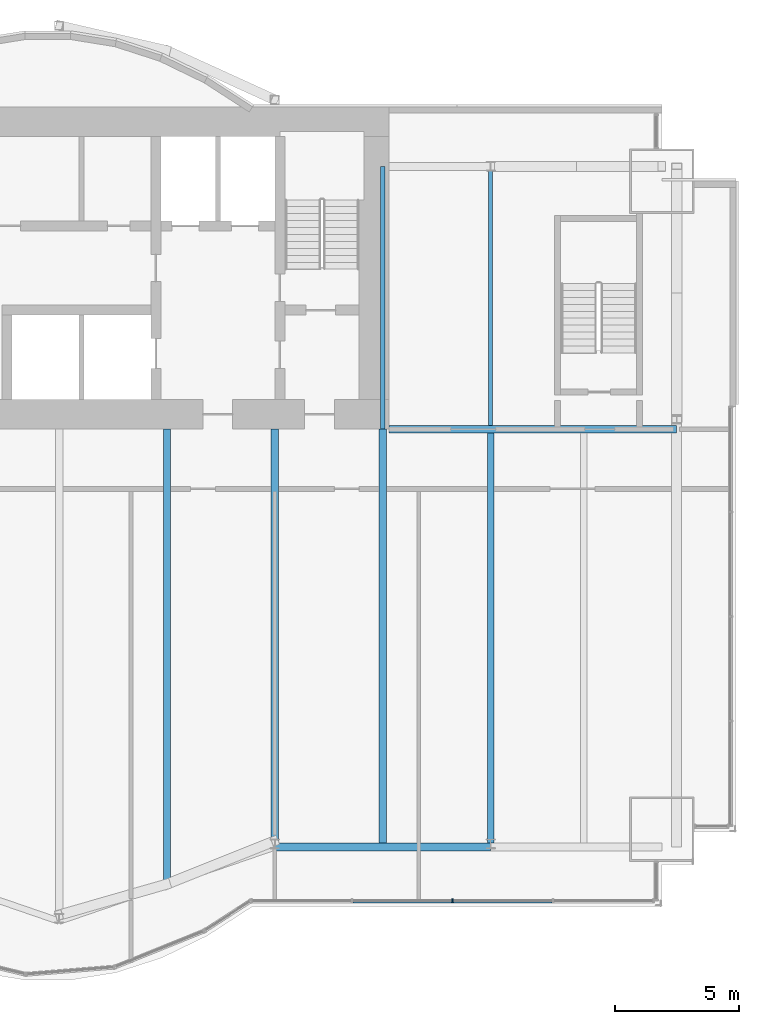
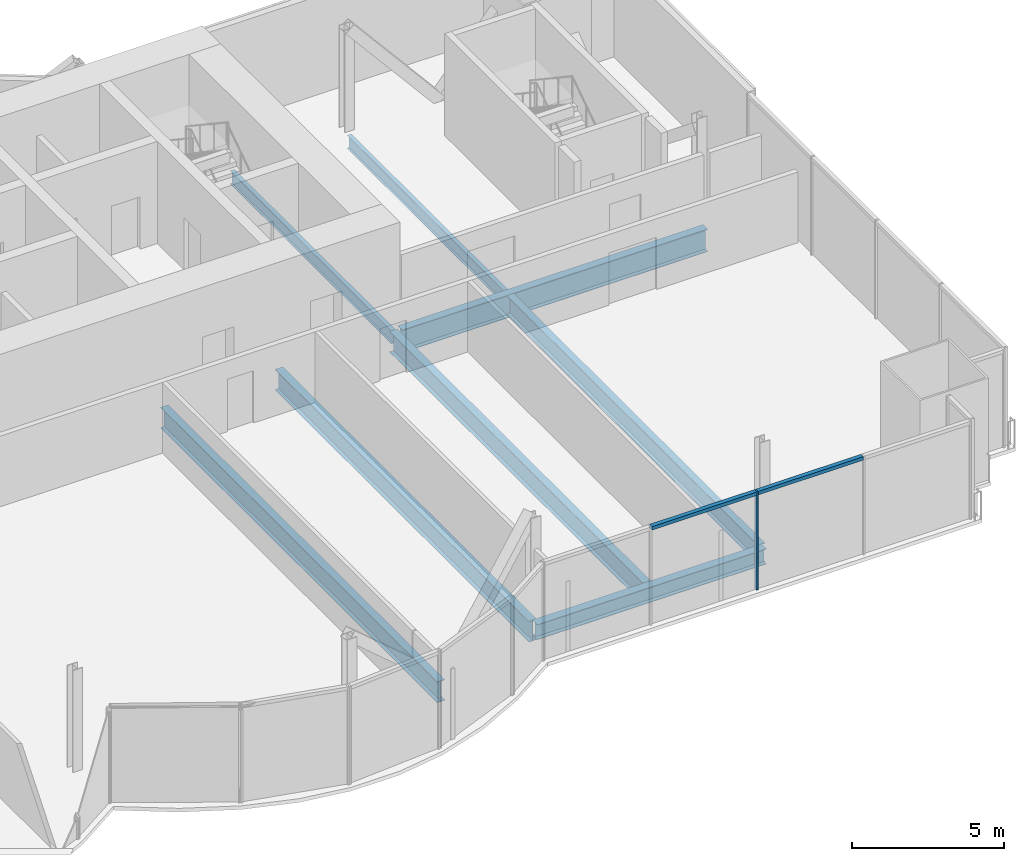
# One storey, part 9 of 20: 8 beams, 3 members, 1 element without a shape of its own.
"""IFC4 building model written with IfcOpenShell, lengths in metres."""

from ifc_helpers import new_model, si_unit, direction, frame, origin, origin_2d, place, context, subcontext, project, spatial, rectangle, i_section, extrude, material, material_profile, profile_set, type_object, element, aggregate, save


model = new_model("IFC4")

# Units and contexts
model_context = context("Model", 3, precision=1e-05, world=origin(), true_north=direction((0.0, 1.0)))
body_context = subcontext(model_context, "Body", "Model", "MODEL_VIEW")
ifc_project = project(units=[si_unit("LENGTHUNIT", "METRE"), si_unit("AREAUNIT", "SQUARE_METRE"), si_unit("VOLUMEUNIT", "CUBIC_METRE"), si_unit("PLANEANGLEUNIT", "RADIAN"), si_unit("MASSUNIT", "GRAM", prefix="KILO")], contexts=[model_context])

# Site, building, storey
site_placement = place(None, origin())
site = spatial("IfcSite", under=ifc_project, at=site_placement, CompositionType="ELEMENT")
building_placement = place(site_placement, origin())
building = spatial("IfcBuilding", under=site, at=building_placement, Name="Bicima Exchange Tower", CompositionType="ELEMENT")
storey_placement = place(building_placement, frame((0.0, 0.0, 207.300048828125)))
storey = spatial("IfcBuildingStorey", under=building, at=storey_placement, Name="L46", CompositionType="ELEMENT", Elevation=207.300048828125)

# Beams
ifc_material_1 = material(Name="Steel ASTM A992 Gr 50", Category="steel")
ifc_material_profile_1 = material_profile(ifc_material_1, i_section(OverallWidth=0.3046875, OverallDepth=0.911865234375, WebThickness=0.015869140625, FlangeThickness=0.02392578125, at=origin_2d()))
ifc_profile_set_1 = profile_set([ifc_material_profile_1], Name="Steel ASTM A992 Gr 50")
beam_type_1 = type_object("IfcBeamType", Name="Core-line girder W36x150", PredefinedType="BEAM", material=ifc_profile_set_1)
beam_1_placement = place(storey_placement, frame((22.0, -13.0, -0.60595703125), z_axis=(1.0, 0.0, 0.0), x_axis=(0.0, 1.0, 0.0)))
element("IfcBeam", 1, at=beam_1_placement, inside=storey, type_object=beam_type_1, Name="Core-line girder", PredefinedType="BEAM", context=body_context, shape_type="SweptSolid", body=[
    extrude(i_section(OverallWidth=0.3046875, OverallDepth=0.911865234375, WebThickness=0.015869140625, FlangeThickness=0.02392578125, at=origin_2d()), origin(), (0.0, 0.0, 1.0), 11.60009765625),
])
ifc_material_profile_2 = material_profile(ifc_material_1, i_section(OverallWidth=0.165771484375, OverallDepth=0.5283203125, WebThickness=0.009765625, FlangeThickness=0.013671875, at=origin_2d()))
ifc_profile_set_2 = profile_set([ifc_material_profile_2], Name="Steel ASTM A992 Gr 50")
beam_type_2 = type_object("IfcBeamType", Name="Floor beam W21x50", PredefinedType="JOIST", material=ifc_profile_set_2)
beam_2_placement = place(storey_placement, frame((21.75, -2.39990234375, -0.414306640625), z_axis=(0.0, -1.0, 0.0), x_axis=(1.0, 0.0, 0.0)))
element("IfcBeam", 2, at=beam_2_placement, inside=storey, type_object=beam_type_2, Name="Floor beam", PredefinedType="JOIST", context=body_context, shape_type="SweptSolid", body=[
    extrude(i_section(OverallWidth=0.165771484375, OverallDepth=0.5283203125, WebThickness=0.009765625, FlangeThickness=0.013671875, at=origin_2d()), origin(), (0.0, 0.0, 1.0), 10.60009765625),
])
beam_3_placement = place(storey_placement, frame((26.10009765625, -2.5625, -0.414306640625), z_axis=(0.0, -1.0, 0.0), x_axis=(1.0, 0.0, 0.0)))
element("IfcBeam", 3, at=beam_3_placement, inside=storey, type_object=beam_type_2, Name="Floor beam", PredefinedType="JOIST", context=body_context, shape_type="SweptSolid", body=[
    extrude(i_section(OverallWidth=0.165771484375, OverallDepth=0.5283203125, WebThickness=0.009765625, FlangeThickness=0.013671875, at=origin_2d()), origin(), (0.0, 0.0, 1.0), 10.28515625),
])
ifc_material_profile_3 = material_profile(ifc_material_1, i_section(OverallWidth=0.2666015625, OverallDepth=0.75439453125, WebThickness=0.01318359375, FlangeThickness=0.01708984375, at=origin_2d()))
ifc_profile_set_3 = profile_set([ifc_material_profile_3], Name="Steel ASTM A992 Gr 50")
beam_type_3 = type_object("IfcBeamType", Name="Floor beam W30x99", PredefinedType="JOIST", material=ifc_profile_set_3)
beam_4_placement = place(storey_placement, frame((26.10009765625, -13.15234375, -0.52734375), z_axis=(0.0, -1.0, 0.0), x_axis=(1.0, 0.0, 0.0)))
element("IfcBeam", 4, at=beam_4_placement, inside=storey, type_object=beam_type_3, Name="Floor beam", PredefinedType="JOIST", context=body_context, shape_type="SweptSolid", body=[
    extrude(i_section(OverallWidth=0.2666015625, OverallDepth=0.75439453125, WebThickness=0.01318359375, FlangeThickness=0.01708984375, at=origin_2d()), origin(), (0.0, 0.0, 1.0), 16.525146484375),
])
ifc_material_profile_4 = material_profile(ifc_material_1, i_section(OverallWidth=0.2919921875, OverallDepth=0.835693359375, WebThickness=0.013916015625, FlangeThickness=0.018798828125, at=origin_2d()))
ifc_profile_set_4 = profile_set([ifc_material_profile_4], Name="Steel ASTM A992 Gr 50")
beam_type_4 = type_object("IfcBeamType", Name="Floor beam W33x118", PredefinedType="JOIST", material=ifc_profile_set_4)
beam_5_placement = place(storey_placement, frame((13.050048828125, -13.0, -0.56787109375), z_axis=(0.0, -1.0, 0.0), x_axis=(1.0, 0.0, 0.0)))
element("IfcBeam", 5, at=beam_5_placement, inside=storey, type_object=beam_type_4, Name="Floor beam", PredefinedType="JOIST", context=body_context, shape_type="SweptSolid", body=[
    extrude(i_section(OverallWidth=0.2919921875, OverallDepth=0.835693359375, WebThickness=0.013916015625, FlangeThickness=0.018798828125, at=origin_2d()), origin(), (0.0, 0.0, 1.0), 18.199951171875),
])
beam_6_placement = place(storey_placement, frame((17.39990234375, -13.0, -0.56787109375), z_axis=(0.0, -1.0, 0.0), x_axis=(1.0, 0.0, 0.0)))
element("IfcBeam", 6, at=beam_6_placement, inside=storey, type_object=beam_type_4, Name="Floor beam", PredefinedType="JOIST", context=body_context, shape_type="SweptSolid", body=[
    extrude(i_section(OverallWidth=0.2919921875, OverallDepth=0.835693359375, WebThickness=0.013916015625, FlangeThickness=0.018798828125, at=origin_2d()), origin(), (0.0, 0.0, 1.0), 16.704345703125),
])
beam_7_placement = place(storey_placement, frame((21.75, -13.0, -0.56787109375), z_axis=(0.0, -1.0, 0.0), x_axis=(1.0, 0.0, 0.0)))
element("IfcBeam", 7, at=beam_7_placement, inside=storey, type_object=beam_type_4, Name="Floor beam", PredefinedType="JOIST", context=body_context, shape_type="SweptSolid", body=[
    extrude(i_section(OverallWidth=0.2919921875, OverallDepth=0.835693359375, WebThickness=0.013916015625, FlangeThickness=0.018798828125, at=origin_2d()), origin(), (0.0, 0.0, 1.0), 16.677490234375),
])
ifc_material_profile_5 = material_profile(ifc_material_1, i_section(OverallWidth=0.3251953125, OverallDepth=0.612060546875, WebThickness=0.0126953125, FlangeThickness=0.01904296875, at=origin_2d()))
ifc_profile_set_5 = profile_set([ifc_material_profile_5], Name="Steel ASTM A992 Gr 50")
beam_type_5 = type_object("IfcBeamType", Name="Front girder W24x104", PredefinedType="BEAM", material=ifc_profile_set_5)
beam_8_placement = place(storey_placement, frame((17.39990234375, -29.840087890625, -0.4560546875), z_axis=(1.0, 0.0, 0.0), x_axis=(0.0, 1.0, 0.0)))
element("IfcBeam", 8, at=beam_8_placement, inside=storey, type_object=beam_type_5, Name="Front girder", PredefinedType="BEAM", context=body_context, shape_type="SweptSolid", body=[
    extrude(i_section(OverallWidth=0.3251953125, OverallDepth=0.612060546875, WebThickness=0.0126953125, FlangeThickness=0.01904296875, at=origin_2d()), origin(), (0.0, 0.0, 1.0), 8.7001953125),
])

# Curtain wall, members
ifc_material_2 = material(Name="Anodised bronze aluminium", Category="aluminium")
curtain_wall_type = type_object("IfcCurtainWallType", Name="Front glass wall", PredefinedType="NOTDEFINED", material=ifc_material_2)
curtain_wall_placement = place(storey_placement, origin())
curtain_wall = element("IfcCurtainWall", 9, at=curtain_wall_placement, inside=storey, type_object=curtain_wall_type, Name="Front glass wall L46 run 16", PredefinedType="NOTDEFINED")
ifc_material_profile_6 = material_profile(ifc_material_2, rectangle(XDim=0.159912109375, YDim=0.06005859375, at=origin_2d()))
ifc_profile_set_6 = profile_set([ifc_material_profile_6], Name="Anodised bronze aluminium")
member_type_1 = type_object("IfcMemberType", Name="Front glass wall mullion 60 x 160", PredefinedType="MULLION", material=ifc_profile_set_6)
member_1_placement = place(storey_placement, frame((24.56103515625, -32.010009765625, 0.0), z_axis=(0.0, 0.0, 1.0), x_axis=(0.0, 1.0, 0.0)))
member_1 = element("IfcMember", 10, at=member_1_placement, type_object=member_type_1, Name="Front glass wall mullion 3", PredefinedType="MULLION", context=body_context, shape_type="SweptSolid", body=[
    extrude(rectangle(XDim=0.159912109375, YDim=0.06005859375, at=origin_2d()), origin(), (0.0, 0.0, 1.0), 3.949951171875),
])
ifc_material_profile_7 = material_profile(ifc_material_2, rectangle(XDim=0.159912109375, YDim=0.139892578125, at=origin_2d()))
ifc_profile_set_7 = profile_set([ifc_material_profile_7], Name="Anodised bronze aluminium")
member_type_2 = type_object("IfcMemberType", Name="Front glass wall transom 140 x 160", PredefinedType="USERDEFINED", material=ifc_profile_set_7)
member_2_placement = place(storey_placement, frame((20.54150390625, -32.010009765625, 3.8798828125), z_axis=(1.0, 0.0, 0.0), x_axis=(0.0, 1.0, 0.0)))
member_2 = element("IfcMember", 11, at=member_2_placement, type_object=member_type_2, Name="Front glass wall transom 2.1", ObjectType="TRANSOM", PredefinedType="USERDEFINED", context=body_context, shape_type="SweptSolid", body=[
    extrude(rectangle(XDim=0.159912109375, YDim=0.139892578125, at=origin_2d()), origin(), (0.0, 0.0, 1.0), 3.989501953125),
])
member_3_placement = place(storey_placement, frame((24.591064453125, -32.010009765625, 3.8798828125), z_axis=(1.0, 0.0, 0.0), x_axis=(0.0, 1.0, 0.0)))
member_3 = element("IfcMember", 12, at=member_3_placement, type_object=member_type_2, Name="Front glass wall transom 3.1", ObjectType="TRANSOM", PredefinedType="USERDEFINED", context=body_context, shape_type="SweptSolid", body=[
    extrude(rectangle(XDim=0.159912109375, YDim=0.139892578125, at=origin_2d()), origin(), (0.0, 0.0, 1.0), 3.989501953125),
])
aggregate(curtain_wall, [member_1, member_2, member_3])

save(model, "model.ifc")
